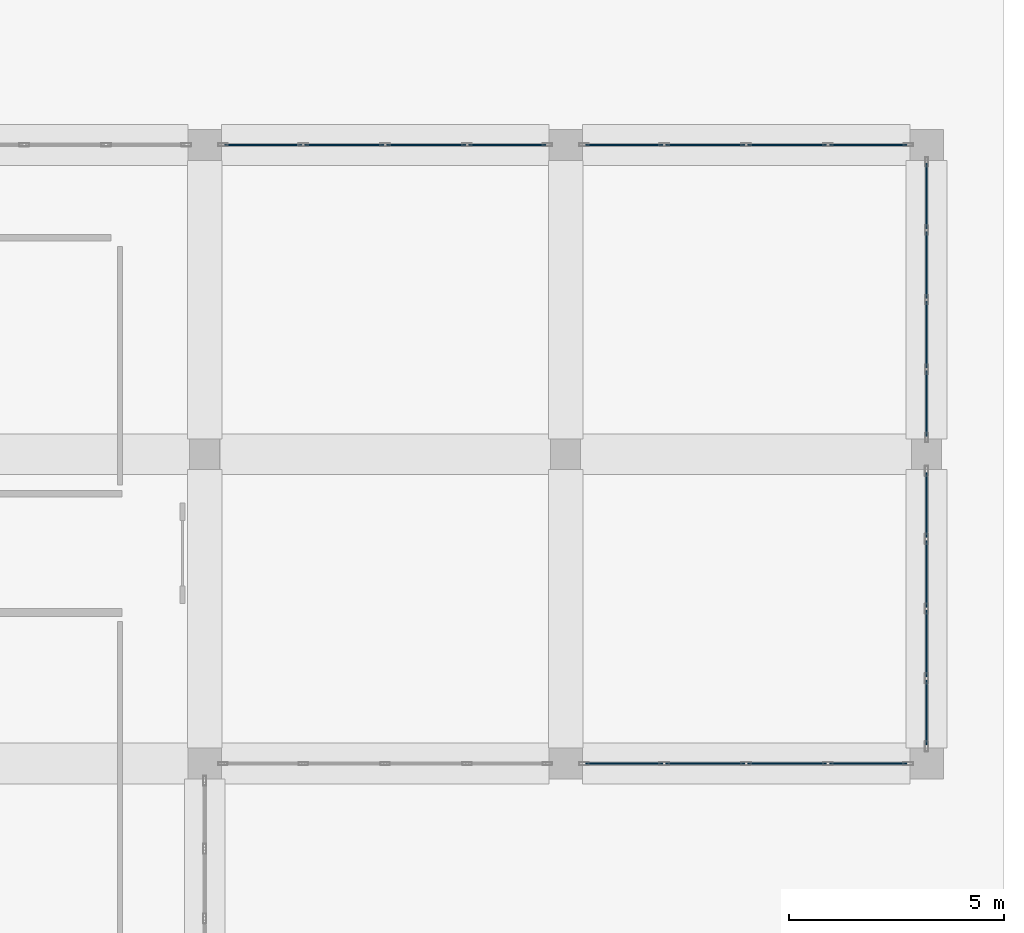
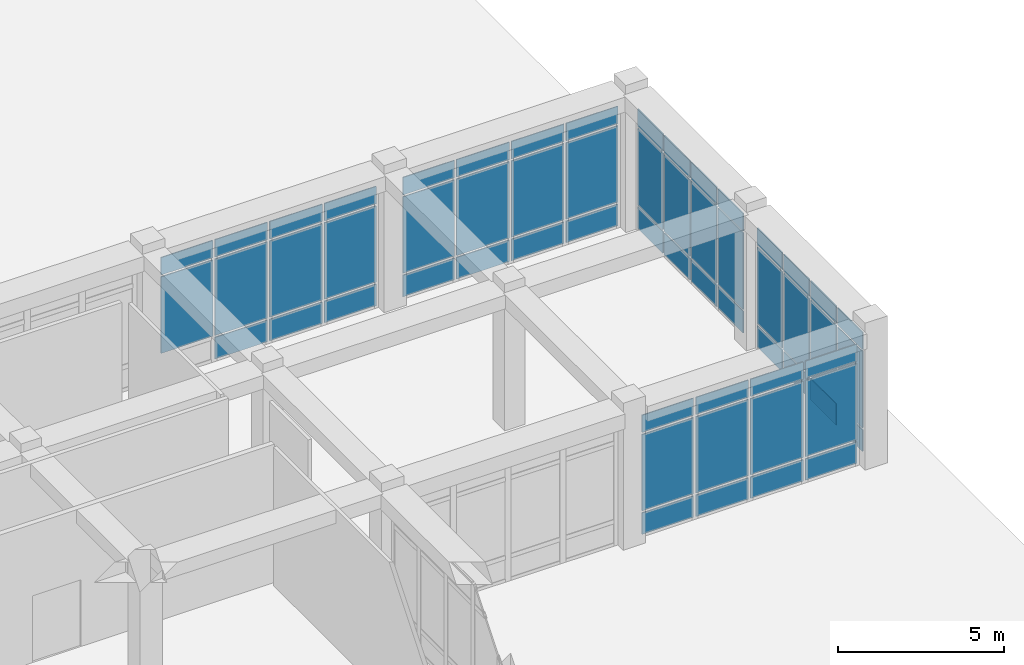
# One storey, part 58 of 84: 59 plates, 5 elements without a shape of their own.
"""IFC4 building model written with IfcOpenShell, lengths in metres."""

from ifc_helpers import new_model, si_unit, derived_unit, direction, frame, origin, origin_2d, place, context, subcontext, project, spatial, rectangle, extrude, material, layer, layer_set, type_object, element, aggregate, save


model = new_model("IFC4")

# Units and contexts
model_context = context("Model", 3, precision=1e-05, world=origin(), true_north=direction((0.0, 1.0)))
body_context = subcontext(model_context, "Body", "Model", "MODEL_VIEW")
ifc_project = project(units=[si_unit("LENGTHUNIT", "METRE"), si_unit("AREAUNIT", "SQUARE_METRE"), si_unit("VOLUMEUNIT", "CUBIC_METRE"), si_unit("PLANEANGLEUNIT", "RADIAN"), si_unit("MASSUNIT", "GRAM", prefix="KILO"), derived_unit("THERMALTRANSMITTANCEUNIT", [(si_unit("POWERUNIT", "WATT"), 1), (si_unit("LENGTHUNIT", "METRE"), -2), (si_unit("THERMODYNAMICTEMPERATUREUNIT", "KELVIN"), -1)])], contexts=[model_context])

# Site, building, storey
site_placement = place(None, origin())
site = spatial("IfcSite", under=ifc_project, at=site_placement, CompositionType="ELEMENT")
building_placement = place(site_placement, origin())
building = spatial("IfcBuilding", under=site, at=building_placement, Name="Veybourne Emporium", CompositionType="ELEMENT")
storey_placement = place(building_placement, origin())
storey = spatial("IfcBuildingStorey", under=building, at=storey_placement, Name="L00", CompositionType="ELEMENT", Elevation=0.0)

# Curtain wall, plates
ifc_material_1 = material(Name="Patinated Architectural Bronze", Category="bronze")
curtain_wall_type_1 = type_object("IfcCurtainWallType", Name="CWSystem_CWS-21", PredefinedType="NOTDEFINED", material=ifc_material_1)
curtain_wall_1_placement = place(storey_placement, origin())
curtain_wall_1 = element("IfcCurtainWall", 1, at=curtain_wall_1_placement, inside=storey, type_object=curtain_wall_type_1, Name="L00 bronze glazed curtain wall CWS-21 (074)", PredefinedType="NOTDEFINED")
ifc_material_2 = material(Name="Solar Control Laminated Glass", Category="glass")
ifc_layer = layer(ifc_material_2, 0.035888671875)
ifc_layer_set = layer_set([ifc_layer], Name="Solar Control Laminated Glass")
plate_type = type_object("IfcPlateType", Name="CWPanel_CW-P2", PredefinedType="CURTAIN_PANEL", material=ifc_layer_set)
plate_1_placement = place(storey_placement, frame((152.560546875, 21.60009765625, 0.93603515625), z_axis=(0.0, 0.0, 1.0), x_axis=(1.0, 0.0, 0.0)))
plate_1 = element("IfcPlate", 2, at=plate_1_placement, type_object=plate_type, Name="CWS-21 panel 1.2", PredefinedType="CURTAIN_PANEL", context=body_context, shape_type="SweptSolid", body=[
    extrude(rectangle(XDim=1.797119140625, YDim=0.035888671875, at=origin_2d()), origin(), (0.0, 0.0, 1.0), 2.80810546875),
])
plate_2_placement = place(storey_placement, frame((152.560546875, 21.60009765625, 3.81591796875), z_axis=(0.0, 0.0, 1.0), x_axis=(1.0, 0.0, 0.0)))
plate_2 = element("IfcPlate", 3, at=plate_2_placement, type_object=plate_type, Name="CWS-21 panel 1.3", PredefinedType="CURTAIN_PANEL", context=body_context, shape_type="SweptSolid", body=[
    extrude(rectangle(XDim=1.797119140625, YDim=0.035888671875, at=origin_2d()), origin(), (0.0, 0.0, 1.0), 0.64208984375),
])
plate_3_placement = place(storey_placement, frame((154.447509765625, 21.60009765625, 0.072021484375), z_axis=(0.0, 0.0, 1.0), x_axis=(1.0, 0.0, 0.0)))
plate_3 = element("IfcPlate", 4, at=plate_3_placement, type_object=plate_type, Name="CWS-21 panel 2.1", PredefinedType="CURTAIN_PANEL", context=body_context, shape_type="SweptSolid", body=[
    extrude(rectangle(XDim=1.8330078125, YDim=0.035888671875, at=origin_2d()), origin(), (0.0, 0.0, 1.0), 0.7919921875),
])
plate_4_placement = place(storey_placement, frame((154.447509765625, 21.60009765625, 0.93603515625), z_axis=(0.0, 0.0, 1.0), x_axis=(1.0, 0.0, 0.0)))
plate_4 = element("IfcPlate", 5, at=plate_4_placement, type_object=plate_type, Name="CWS-21 panel 2.2", PredefinedType="CURTAIN_PANEL", context=body_context, shape_type="SweptSolid", body=[
    extrude(rectangle(XDim=1.8330078125, YDim=0.035888671875, at=origin_2d()), origin(), (0.0, 0.0, 1.0), 2.80810546875),
])
plate_5_placement = place(storey_placement, frame((154.447509765625, 21.60009765625, 3.81591796875), z_axis=(0.0, 0.0, 1.0), x_axis=(1.0, 0.0, 0.0)))
plate_5 = element("IfcPlate", 6, at=plate_5_placement, type_object=plate_type, Name="CWS-21 panel 2.3", PredefinedType="CURTAIN_PANEL", context=body_context, shape_type="SweptSolid", body=[
    extrude(rectangle(XDim=1.8330078125, YDim=0.035888671875, at=origin_2d()), origin(), (0.0, 0.0, 1.0), 0.64208984375),
])
plate_6_placement = place(storey_placement, frame((156.3525390625, 21.60009765625, 0.072021484375), z_axis=(0.0, 0.0, 1.0), x_axis=(1.0, 0.0, 0.0)))
plate_6 = element("IfcPlate", 7, at=plate_6_placement, type_object=plate_type, Name="CWS-21 panel 3.1", PredefinedType="CURTAIN_PANEL", context=body_context, shape_type="SweptSolid", body=[
    extrude(rectangle(XDim=1.8330078125, YDim=0.035888671875, at=origin_2d()), origin(), (0.0, 0.0, 1.0), 0.7919921875),
])
plate_7_placement = place(storey_placement, frame((156.3525390625, 21.60009765625, 0.93603515625), z_axis=(0.0, 0.0, 1.0), x_axis=(1.0, 0.0, 0.0)))
plate_7 = element("IfcPlate", 8, at=plate_7_placement, type_object=plate_type, Name="CWS-21 panel 3.2", PredefinedType="CURTAIN_PANEL", context=body_context, shape_type="SweptSolid", body=[
    extrude(rectangle(XDim=1.8330078125, YDim=0.035888671875, at=origin_2d()), origin(), (0.0, 0.0, 1.0), 2.80810546875),
])
plate_8_placement = place(storey_placement, frame((156.3525390625, 21.60009765625, 3.81591796875), z_axis=(0.0, 0.0, 1.0), x_axis=(1.0, 0.0, 0.0)))
plate_8 = element("IfcPlate", 9, at=plate_8_placement, type_object=plate_type, Name="CWS-21 panel 3.3", PredefinedType="CURTAIN_PANEL", context=body_context, shape_type="SweptSolid", body=[
    extrude(rectangle(XDim=1.8330078125, YDim=0.035888671875, at=origin_2d()), origin(), (0.0, 0.0, 1.0), 0.64208984375),
])
plate_9_placement = place(storey_placement, frame((158.239501953125, 21.60009765625, 0.072021484375), z_axis=(0.0, 0.0, 1.0), x_axis=(1.0, 0.0, 0.0)))
plate_9 = element("IfcPlate", 10, at=plate_9_placement, type_object=plate_type, Name="CWS-21 panel 4.1", PredefinedType="CURTAIN_PANEL", context=body_context, shape_type="SweptSolid", body=[
    extrude(rectangle(XDim=1.797119140625, YDim=0.035888671875, at=origin_2d()), origin(), (0.0, 0.0, 1.0), 0.7919921875),
])
plate_10_placement = place(storey_placement, frame((158.239501953125, 21.60009765625, 0.93603515625), z_axis=(0.0, 0.0, 1.0), x_axis=(1.0, 0.0, 0.0)))
plate_10 = element("IfcPlate", 11, at=plate_10_placement, type_object=plate_type, Name="CWS-21 panel 4.2", PredefinedType="CURTAIN_PANEL", context=body_context, shape_type="SweptSolid", body=[
    extrude(rectangle(XDim=1.797119140625, YDim=0.035888671875, at=origin_2d()), origin(), (0.0, 0.0, 1.0), 2.80810546875),
])
plate_11_placement = place(storey_placement, frame((158.239501953125, 21.60009765625, 3.81591796875), z_axis=(0.0, 0.0, 1.0), x_axis=(1.0, 0.0, 0.0)))
plate_11 = element("IfcPlate", 12, at=plate_11_placement, type_object=plate_type, Name="CWS-21 panel 4.3", PredefinedType="CURTAIN_PANEL", context=body_context, shape_type="SweptSolid", body=[
    extrude(rectangle(XDim=1.797119140625, YDim=0.035888671875, at=origin_2d()), origin(), (0.0, 0.0, 1.0), 0.64208984375),
])
aggregate(curtain_wall_1, [plate_1, plate_2, plate_3, plate_4, plate_5, plate_6, plate_7, plate_8, plate_9, plate_10, plate_11])

curtain_wall_type_2 = type_object("IfcCurtainWallType", Name="CWSystem_CWS-22", PredefinedType="NOTDEFINED", material=ifc_material_1)
curtain_wall_2_placement = place(storey_placement, origin())
curtain_wall_2 = element("IfcCurtainWall", 13, at=curtain_wall_2_placement, inside=storey, type_object=curtain_wall_type_2, Name="L00 bronze glazed curtain wall CWS-22 (075)", PredefinedType="NOTDEFINED")
plate_12_placement = place(storey_placement, frame((166.638671875, 7.199951171875, 0.074951171875), z_axis=(0.0, 0.0, 1.0), x_axis=(-1.0, 0.0, 0.0)))
plate_12 = element("IfcPlate", 14, at=plate_12_placement, type_object=plate_type, Name="CWS-22 panel 1.1", PredefinedType="CURTAIN_PANEL", context=body_context, shape_type="SweptSolid", body=[
    extrude(rectangle(XDim=1.79248046875, YDim=0.035888671875, at=origin_2d()), origin(), (0.0, 0.0, 1.0), 0.78759765625),
])
plate_13_placement = place(storey_placement, frame((166.638671875, 7.199951171875, 0.9375), z_axis=(0.0, 0.0, 1.0), x_axis=(-1.0, 0.0, 0.0)))
plate_13 = element("IfcPlate", 15, at=plate_13_placement, type_object=plate_type, Name="CWS-22 panel 1.2", PredefinedType="CURTAIN_PANEL", context=body_context, shape_type="SweptSolid", body=[
    extrude(rectangle(XDim=1.79248046875, YDim=0.035888671875, at=origin_2d()), origin(), (0.0, 0.0, 1.0), 2.804931640625),
])
plate_14_placement = place(storey_placement, frame((166.638671875, 7.199951171875, 3.8173828125), z_axis=(0.0, 0.0, 1.0), x_axis=(-1.0, 0.0, 0.0)))
plate_14 = element("IfcPlate", 16, at=plate_14_placement, type_object=plate_type, Name="CWS-22 panel 1.3", PredefinedType="CURTAIN_PANEL", context=body_context, shape_type="SweptSolid", body=[
    extrude(rectangle(XDim=1.79248046875, YDim=0.035888671875, at=origin_2d()), origin(), (0.0, 0.0, 1.0), 0.637451171875),
])
plate_15_placement = place(storey_placement, frame((164.75244140625, 7.199951171875, 0.074951171875), z_axis=(0.0, 0.0, 1.0), x_axis=(-1.0, 0.0, 0.0)))
plate_15 = element("IfcPlate", 17, at=plate_15_placement, type_object=plate_type, Name="CWS-22 panel 2.1", PredefinedType="CURTAIN_PANEL", context=body_context, shape_type="SweptSolid", body=[
    extrude(rectangle(XDim=1.830078125, YDim=0.035888671875, at=origin_2d()), origin(), (0.0, 0.0, 1.0), 0.78759765625),
])
plate_16_placement = place(storey_placement, frame((164.75244140625, 7.199951171875, 0.9375), z_axis=(0.0, 0.0, 1.0), x_axis=(-1.0, 0.0, 0.0)))
plate_16 = element("IfcPlate", 18, at=plate_16_placement, type_object=plate_type, Name="CWS-22 panel 2.2", PredefinedType="CURTAIN_PANEL", context=body_context, shape_type="SweptSolid", body=[
    extrude(rectangle(XDim=1.830078125, YDim=0.035888671875, at=origin_2d()), origin(), (0.0, 0.0, 1.0), 2.804931640625),
])
plate_17_placement = place(storey_placement, frame((164.75244140625, 7.199951171875, 3.8173828125), z_axis=(0.0, 0.0, 1.0), x_axis=(-1.0, 0.0, 0.0)))
plate_17 = element("IfcPlate", 19, at=plate_17_placement, type_object=plate_type, Name="CWS-22 panel 2.3", PredefinedType="CURTAIN_PANEL", context=body_context, shape_type="SweptSolid", body=[
    extrude(rectangle(XDim=1.830078125, YDim=0.035888671875, at=origin_2d()), origin(), (0.0, 0.0, 1.0), 0.637451171875),
])
plate_18_placement = place(storey_placement, frame((162.847412109375, 7.199951171875, 0.074951171875), z_axis=(0.0, 0.0, 1.0), x_axis=(-1.0, 0.0, 0.0)))
plate_18 = element("IfcPlate", 20, at=plate_18_placement, type_object=plate_type, Name="CWS-22 panel 3.1", PredefinedType="CURTAIN_PANEL", context=body_context, shape_type="SweptSolid", body=[
    extrude(rectangle(XDim=1.830078125, YDim=0.035888671875, at=origin_2d()), origin(), (0.0, 0.0, 1.0), 0.78759765625),
])
plate_19_placement = place(storey_placement, frame((162.847412109375, 7.199951171875, 0.9375), z_axis=(0.0, 0.0, 1.0), x_axis=(-1.0, 0.0, 0.0)))
plate_19 = element("IfcPlate", 21, at=plate_19_placement, type_object=plate_type, Name="CWS-22 panel 3.2", PredefinedType="CURTAIN_PANEL", context=body_context, shape_type="SweptSolid", body=[
    extrude(rectangle(XDim=1.830078125, YDim=0.035888671875, at=origin_2d()), origin(), (0.0, 0.0, 1.0), 2.804931640625),
])
plate_20_placement = place(storey_placement, frame((162.847412109375, 7.199951171875, 3.8173828125), z_axis=(0.0, 0.0, 1.0), x_axis=(-1.0, 0.0, 0.0)))
plate_20 = element("IfcPlate", 22, at=plate_20_placement, type_object=plate_type, Name="CWS-22 panel 3.3", PredefinedType="CURTAIN_PANEL", context=body_context, shape_type="SweptSolid", body=[
    extrude(rectangle(XDim=1.830078125, YDim=0.035888671875, at=origin_2d()), origin(), (0.0, 0.0, 1.0), 0.637451171875),
])
plate_21_placement = place(storey_placement, frame((160.961181640625, 7.199951171875, 0.074951171875), z_axis=(0.0, 0.0, 1.0), x_axis=(-1.0, 0.0, 0.0)))
plate_21 = element("IfcPlate", 23, at=plate_21_placement, type_object=plate_type, Name="CWS-22 panel 4.1", PredefinedType="CURTAIN_PANEL", context=body_context, shape_type="SweptSolid", body=[
    extrude(rectangle(XDim=1.79248046875, YDim=0.035888671875, at=origin_2d()), origin(), (0.0, 0.0, 1.0), 0.78759765625),
])
plate_22_placement = place(storey_placement, frame((160.961181640625, 7.199951171875, 0.9375), z_axis=(0.0, 0.0, 1.0), x_axis=(-1.0, 0.0, 0.0)))
plate_22 = element("IfcPlate", 24, at=plate_22_placement, type_object=plate_type, Name="CWS-22 panel 4.2", PredefinedType="CURTAIN_PANEL", context=body_context, shape_type="SweptSolid", body=[
    extrude(rectangle(XDim=1.79248046875, YDim=0.035888671875, at=origin_2d()), origin(), (0.0, 0.0, 1.0), 2.804931640625),
])
plate_23_placement = place(storey_placement, frame((160.961181640625, 7.199951171875, 3.8173828125), z_axis=(0.0, 0.0, 1.0), x_axis=(-1.0, 0.0, 0.0)))
plate_23 = element("IfcPlate", 25, at=plate_23_placement, type_object=plate_type, Name="CWS-22 panel 4.3", PredefinedType="CURTAIN_PANEL", context=body_context, shape_type="SweptSolid", body=[
    extrude(rectangle(XDim=1.79248046875, YDim=0.035888671875, at=origin_2d()), origin(), (0.0, 0.0, 1.0), 0.637451171875),
])
aggregate(curtain_wall_2, [plate_12, plate_13, plate_14, plate_15, plate_16, plate_17, plate_18, plate_19, plate_20, plate_21, plate_22, plate_23])

curtain_wall_type_3 = type_object("IfcCurtainWallType", Name="CWSystem_CWS-23", PredefinedType="NOTDEFINED", material=ifc_material_1)
curtain_wall_3_placement = place(storey_placement, origin())
curtain_wall_3 = element("IfcCurtainWall", 26, at=curtain_wall_3_placement, inside=storey, type_object=curtain_wall_type_3, Name="L00 bronze glazed curtain wall CWS-23 (076)", PredefinedType="NOTDEFINED")
plate_24_placement = place(storey_placement, frame((168.0, 13.21923828125, 0.078125), z_axis=(0.0, 0.0, 1.0), x_axis=(0.0, -1.0, 0.0)))
plate_24 = element("IfcPlate", 27, at=plate_24_placement, type_object=plate_type, Name="CWS-23 panel 1.1", PredefinedType="CURTAIN_PANEL", context=body_context, shape_type="SweptSolid", body=[
    extrude(rectangle(XDim=1.505615234375, YDim=0.035888671875, at=origin_2d()), origin(), (0.0, 0.0, 1.0), 0.782958984375),
])
plate_25_placement = place(storey_placement, frame((168.0, 13.21923828125, 0.93896484375), z_axis=(0.0, 0.0, 1.0), x_axis=(0.0, -1.0, 0.0)))
plate_25 = element("IfcPlate", 28, at=plate_25_placement, type_object=plate_type, Name="CWS-23 panel 1.2", PredefinedType="CURTAIN_PANEL", context=body_context, shape_type="SweptSolid", body=[
    extrude(rectangle(XDim=1.505615234375, YDim=0.035888671875, at=origin_2d()), origin(), (0.0, 0.0, 1.0), 2.802001953125),
])
plate_26_placement = place(storey_placement, frame((168.0, 13.21923828125, 3.81884765625), z_axis=(0.0, 0.0, 1.0), x_axis=(0.0, -1.0, 0.0)))
plate_26 = element("IfcPlate", 29, at=plate_26_placement, type_object=plate_type, Name="CWS-23 panel 1.3", PredefinedType="CURTAIN_PANEL", context=body_context, shape_type="SweptSolid", body=[
    extrude(rectangle(XDim=1.505615234375, YDim=0.035888671875, at=origin_2d()), origin(), (0.0, 0.0, 1.0), 0.633056640625),
])
plate_27_placement = place(storey_placement, frame((168.0, 11.6162109375, 0.078125), z_axis=(0.0, 0.0, 1.0), x_axis=(0.0, -1.0, 0.0)))
plate_27 = element("IfcPlate", 30, at=plate_27_placement, type_object=plate_type, Name="CWS-23 panel 2.1", PredefinedType="CURTAIN_PANEL", context=body_context, shape_type="SweptSolid", body=[
    extrude(rectangle(XDim=1.54443359375, YDim=0.035888671875, at=origin_2d()), origin(), (0.0, 0.0, 1.0), 0.782958984375),
])
plate_28_placement = place(storey_placement, frame((168.0, 11.6162109375, 0.93896484375), z_axis=(0.0, 0.0, 1.0), x_axis=(0.0, -1.0, 0.0)))
plate_28 = element("IfcPlate", 31, at=plate_28_placement, type_object=plate_type, Name="CWS-23 panel 2.2", PredefinedType="CURTAIN_PANEL", context=body_context, shape_type="SweptSolid", body=[
    extrude(rectangle(XDim=1.54443359375, YDim=0.035888671875, at=origin_2d()), origin(), (0.0, 0.0, 1.0), 2.802001953125),
])
plate_29_placement = place(storey_placement, frame((168.0, 11.6162109375, 3.81884765625), z_axis=(0.0, 0.0, 1.0), x_axis=(0.0, -1.0, 0.0)))
plate_29 = element("IfcPlate", 32, at=plate_29_placement, type_object=plate_type, Name="CWS-23 panel 2.3", PredefinedType="CURTAIN_PANEL", context=body_context, shape_type="SweptSolid", body=[
    extrude(rectangle(XDim=1.54443359375, YDim=0.035888671875, at=origin_2d()), origin(), (0.0, 0.0, 1.0), 0.633056640625),
])
plate_30_placement = place(storey_placement, frame((168.0, 9.99365234375, 0.078125), z_axis=(0.0, 0.0, 1.0), x_axis=(0.0, -1.0, 0.0)))
plate_30 = element("IfcPlate", 33, at=plate_30_placement, type_object=plate_type, Name="CWS-23 panel 3.1", PredefinedType="CURTAIN_PANEL", context=body_context, shape_type="SweptSolid", body=[
    extrude(rectangle(XDim=1.54443359375, YDim=0.035888671875, at=origin_2d()), origin(), (0.0, 0.0, 1.0), 0.782958984375),
])
plate_31_placement = place(storey_placement, frame((168.0, 9.99365234375, 0.93896484375), z_axis=(0.0, 0.0, 1.0), x_axis=(0.0, -1.0, 0.0)))
plate_31 = element("IfcPlate", 34, at=plate_31_placement, type_object=plate_type, Name="CWS-23 panel 3.2", PredefinedType="CURTAIN_PANEL", context=body_context, shape_type="SweptSolid", body=[
    extrude(rectangle(XDim=1.54443359375, YDim=0.035888671875, at=origin_2d()), origin(), (0.0, 0.0, 1.0), 2.802001953125),
])
plate_32_placement = place(storey_placement, frame((168.0, 9.99365234375, 3.81884765625), z_axis=(0.0, 0.0, 1.0), x_axis=(0.0, -1.0, 0.0)))
plate_32 = element("IfcPlate", 35, at=plate_32_placement, type_object=plate_type, Name="CWS-23 panel 3.3", PredefinedType="CURTAIN_PANEL", context=body_context, shape_type="SweptSolid", body=[
    extrude(rectangle(XDim=1.54443359375, YDim=0.035888671875, at=origin_2d()), origin(), (0.0, 0.0, 1.0), 0.633056640625),
])
plate_33_placement = place(storey_placement, frame((168.0, 8.390869140625, 0.078125), z_axis=(0.0, 0.0, 1.0), x_axis=(0.0, -1.0, 0.0)))
plate_33 = element("IfcPlate", 36, at=plate_33_placement, type_object=plate_type, Name="CWS-23 panel 4.1", PredefinedType="CURTAIN_PANEL", context=body_context, shape_type="SweptSolid", body=[
    extrude(rectangle(XDim=1.505615234375, YDim=0.035888671875, at=origin_2d()), origin(), (0.0, 0.0, 1.0), 0.782958984375),
])
plate_34_placement = place(storey_placement, frame((168.0, 8.390869140625, 0.93896484375), z_axis=(0.0, 0.0, 1.0), x_axis=(0.0, -1.0, 0.0)))
plate_34 = element("IfcPlate", 37, at=plate_34_placement, type_object=plate_type, Name="CWS-23 panel 4.2", PredefinedType="CURTAIN_PANEL", context=body_context, shape_type="SweptSolid", body=[
    extrude(rectangle(XDim=1.505615234375, YDim=0.035888671875, at=origin_2d()), origin(), (0.0, 0.0, 1.0), 2.802001953125),
])
plate_35_placement = place(storey_placement, frame((168.0, 8.390869140625, 3.81884765625), z_axis=(0.0, 0.0, 1.0), x_axis=(0.0, -1.0, 0.0)))
plate_35 = element("IfcPlate", 38, at=plate_35_placement, type_object=plate_type, Name="CWS-23 panel 4.3", PredefinedType="CURTAIN_PANEL", context=body_context, shape_type="SweptSolid", body=[
    extrude(rectangle(XDim=1.505615234375, YDim=0.035888671875, at=origin_2d()), origin(), (0.0, 0.0, 1.0), 0.633056640625),
])
aggregate(curtain_wall_3, [plate_24, plate_25, plate_26, plate_27, plate_28, plate_29, plate_30, plate_31, plate_32, plate_33, plate_34, plate_35])

curtain_wall_type_4 = type_object("IfcCurtainWallType", Name="CWSystem_CWS-24", PredefinedType="NOTDEFINED", material=ifc_material_1)
curtain_wall_4_placement = place(storey_placement, origin())
curtain_wall_4 = element("IfcCurtainWall", 39, at=curtain_wall_4_placement, inside=storey, type_object=curtain_wall_type_4, Name="L00 bronze glazed curtain wall CWS-24 (077)", PredefinedType="NOTDEFINED")
plate_36_placement = place(storey_placement, frame((168.0, 20.4111328125, 0.070068359375), z_axis=(0.0, 0.0, 1.0), x_axis=(0.0, -1.0, 0.0)))
plate_36 = element("IfcPlate", 40, at=plate_36_placement, type_object=plate_type, Name="CWS-24 panel 1.1", PredefinedType="CURTAIN_PANEL", context=body_context, shape_type="SweptSolid", body=[
    extrude(rectangle(XDim=1.517578125, YDim=0.035888671875, at=origin_2d()), origin(), (0.0, 0.0, 1.0), 0.794921875),
])
plate_37_placement = place(storey_placement, frame((168.0, 20.4111328125, 0.93505859375), z_axis=(0.0, 0.0, 1.0), x_axis=(0.0, -1.0, 0.0)))
plate_37 = element("IfcPlate", 41, at=plate_37_placement, type_object=plate_type, Name="CWS-24 panel 1.2", PredefinedType="CURTAIN_PANEL", context=body_context, shape_type="SweptSolid", body=[
    extrude(rectangle(XDim=1.517578125, YDim=0.035888671875, at=origin_2d()), origin(), (0.0, 0.0, 1.0), 2.81005859375),
])
plate_38_placement = place(storey_placement, frame((168.0, 20.4111328125, 3.81494140625), z_axis=(0.0, 0.0, 1.0), x_axis=(0.0, -1.0, 0.0)))
plate_38 = element("IfcPlate", 42, at=plate_38_placement, type_object=plate_type, Name="CWS-24 panel 1.3", PredefinedType="CURTAIN_PANEL", context=body_context, shape_type="SweptSolid", body=[
    extrude(rectangle(XDim=1.517578125, YDim=0.035888671875, at=origin_2d()), origin(), (0.0, 0.0, 1.0), 0.64501953125),
])
plate_39_placement = place(storey_placement, frame((168.0, 18.80615234375, 0.070068359375), z_axis=(0.0, 0.0, 1.0), x_axis=(0.0, -1.0, 0.0)))
plate_39 = element("IfcPlate", 43, at=plate_39_placement, type_object=plate_type, Name="CWS-24 panel 2.1", PredefinedType="CURTAIN_PANEL", context=body_context, shape_type="SweptSolid", body=[
    extrude(rectangle(XDim=1.552490234375, YDim=0.035888671875, at=origin_2d()), origin(), (0.0, 0.0, 1.0), 0.794921875),
])
plate_40_placement = place(storey_placement, frame((168.0, 18.80615234375, 0.93505859375), z_axis=(0.0, 0.0, 1.0), x_axis=(0.0, -1.0, 0.0)))
plate_40 = element("IfcPlate", 44, at=plate_40_placement, type_object=plate_type, Name="CWS-24 panel 2.2", PredefinedType="CURTAIN_PANEL", context=body_context, shape_type="SweptSolid", body=[
    extrude(rectangle(XDim=1.552490234375, YDim=0.035888671875, at=origin_2d()), origin(), (0.0, 0.0, 1.0), 2.81005859375),
])
plate_41_placement = place(storey_placement, frame((168.0, 18.80615234375, 3.81494140625), z_axis=(0.0, 0.0, 1.0), x_axis=(0.0, -1.0, 0.0)))
plate_41 = element("IfcPlate", 45, at=plate_41_placement, type_object=plate_type, Name="CWS-24 panel 2.3", PredefinedType="CURTAIN_PANEL", context=body_context, shape_type="SweptSolid", body=[
    extrude(rectangle(XDim=1.552490234375, YDim=0.035888671875, at=origin_2d()), origin(), (0.0, 0.0, 1.0), 0.64501953125),
])
plate_42_placement = place(storey_placement, frame((168.0, 17.183837890625, 0.070068359375), z_axis=(0.0, 0.0, 1.0), x_axis=(0.0, -1.0, 0.0)))
plate_42 = element("IfcPlate", 46, at=plate_42_placement, type_object=plate_type, Name="CWS-24 panel 3.1", PredefinedType="CURTAIN_PANEL", context=body_context, shape_type="SweptSolid", body=[
    extrude(rectangle(XDim=1.552490234375, YDim=0.035888671875, at=origin_2d()), origin(), (0.0, 0.0, 1.0), 0.794921875),
])
plate_43_placement = place(storey_placement, frame((168.0, 17.183837890625, 0.93505859375), z_axis=(0.0, 0.0, 1.0), x_axis=(0.0, -1.0, 0.0)))
plate_43 = element("IfcPlate", 47, at=plate_43_placement, type_object=plate_type, Name="CWS-24 panel 3.2", PredefinedType="CURTAIN_PANEL", context=body_context, shape_type="SweptSolid", body=[
    extrude(rectangle(XDim=1.552490234375, YDim=0.035888671875, at=origin_2d()), origin(), (0.0, 0.0, 1.0), 2.81005859375),
])
plate_44_placement = place(storey_placement, frame((168.0, 17.183837890625, 3.81494140625), z_axis=(0.0, 0.0, 1.0), x_axis=(0.0, -1.0, 0.0)))
plate_44 = element("IfcPlate", 48, at=plate_44_placement, type_object=plate_type, Name="CWS-24 panel 3.3", PredefinedType="CURTAIN_PANEL", context=body_context, shape_type="SweptSolid", body=[
    extrude(rectangle(XDim=1.552490234375, YDim=0.035888671875, at=origin_2d()), origin(), (0.0, 0.0, 1.0), 0.64501953125),
])
plate_45_placement = place(storey_placement, frame((168.0, 15.578857421875, 0.070068359375), z_axis=(0.0, 0.0, 1.0), x_axis=(0.0, -1.0, 0.0)))
plate_45 = element("IfcPlate", 49, at=plate_45_placement, type_object=plate_type, Name="CWS-24 panel 4.1", PredefinedType="CURTAIN_PANEL", context=body_context, shape_type="SweptSolid", body=[
    extrude(rectangle(XDim=1.517578125, YDim=0.035888671875, at=origin_2d()), origin(), (0.0, 0.0, 1.0), 0.794921875),
])
plate_46_placement = place(storey_placement, frame((168.0, 15.578857421875, 0.93505859375), z_axis=(0.0, 0.0, 1.0), x_axis=(0.0, -1.0, 0.0)))
plate_46 = element("IfcPlate", 50, at=plate_46_placement, type_object=plate_type, Name="CWS-24 panel 4.2", PredefinedType="CURTAIN_PANEL", context=body_context, shape_type="SweptSolid", body=[
    extrude(rectangle(XDim=1.517578125, YDim=0.035888671875, at=origin_2d()), origin(), (0.0, 0.0, 1.0), 2.81005859375),
])
plate_47_placement = place(storey_placement, frame((168.0, 15.578857421875, 3.81494140625), z_axis=(0.0, 0.0, 1.0), x_axis=(0.0, -1.0, 0.0)))
plate_47 = element("IfcPlate", 51, at=plate_47_placement, type_object=plate_type, Name="CWS-24 panel 4.3", PredefinedType="CURTAIN_PANEL", context=body_context, shape_type="SweptSolid", body=[
    extrude(rectangle(XDim=1.517578125, YDim=0.035888671875, at=origin_2d()), origin(), (0.0, 0.0, 1.0), 0.64501953125),
])
aggregate(curtain_wall_4, [plate_36, plate_37, plate_38, plate_39, plate_40, plate_41, plate_42, plate_43, plate_44, plate_45, plate_46, plate_47])

curtain_wall_type_5 = type_object("IfcCurtainWallType", Name="CWSystem_CWS-25", PredefinedType="NOTDEFINED", material=ifc_material_1)
curtain_wall_5_placement = place(storey_placement, origin())
curtain_wall_5 = element("IfcCurtainWall", 52, at=curtain_wall_5_placement, inside=storey, type_object=curtain_wall_type_5, Name="L00 bronze glazed curtain wall CWS-25 (078)", PredefinedType="NOTDEFINED")
plate_48_placement = place(storey_placement, frame((160.96044921875, 21.60009765625, 0.072021484375), z_axis=(0.0, 0.0, 1.0), x_axis=(1.0, 0.0, 0.0)))
plate_48 = element("IfcPlate", 53, at=plate_48_placement, type_object=plate_type, Name="CWS-25 panel 1.1", PredefinedType="CURTAIN_PANEL", context=body_context, shape_type="SweptSolid", body=[
    extrude(rectangle(XDim=1.797119140625, YDim=0.035888671875, at=origin_2d()), origin(), (0.0, 0.0, 1.0), 0.7919921875),
])
plate_49_placement = place(storey_placement, frame((160.96044921875, 21.60009765625, 0.93603515625), z_axis=(0.0, 0.0, 1.0), x_axis=(1.0, 0.0, 0.0)))
plate_49 = element("IfcPlate", 54, at=plate_49_placement, type_object=plate_type, Name="CWS-25 panel 1.2", PredefinedType="CURTAIN_PANEL", context=body_context, shape_type="SweptSolid", body=[
    extrude(rectangle(XDim=1.797119140625, YDim=0.035888671875, at=origin_2d()), origin(), (0.0, 0.0, 1.0), 2.80810546875),
])
plate_50_placement = place(storey_placement, frame((160.96044921875, 21.60009765625, 3.81591796875), z_axis=(0.0, 0.0, 1.0), x_axis=(1.0, 0.0, 0.0)))
plate_50 = element("IfcPlate", 55, at=plate_50_placement, type_object=plate_type, Name="CWS-25 panel 1.3", PredefinedType="CURTAIN_PANEL", context=body_context, shape_type="SweptSolid", body=[
    extrude(rectangle(XDim=1.797119140625, YDim=0.035888671875, at=origin_2d()), origin(), (0.0, 0.0, 1.0), 0.64208984375),
])
plate_51_placement = place(storey_placement, frame((162.847412109375, 21.60009765625, 0.072021484375), z_axis=(0.0, 0.0, 1.0), x_axis=(1.0, 0.0, 0.0)))
plate_51 = element("IfcPlate", 56, at=plate_51_placement, type_object=plate_type, Name="CWS-25 panel 2.1", PredefinedType="CURTAIN_PANEL", context=body_context, shape_type="SweptSolid", body=[
    extrude(rectangle(XDim=1.8330078125, YDim=0.035888671875, at=origin_2d()), origin(), (0.0, 0.0, 1.0), 0.7919921875),
])
plate_52_placement = place(storey_placement, frame((162.847412109375, 21.60009765625, 0.93603515625), z_axis=(0.0, 0.0, 1.0), x_axis=(1.0, 0.0, 0.0)))
plate_52 = element("IfcPlate", 57, at=plate_52_placement, type_object=plate_type, Name="CWS-25 panel 2.2", PredefinedType="CURTAIN_PANEL", context=body_context, shape_type="SweptSolid", body=[
    extrude(rectangle(XDim=1.8330078125, YDim=0.035888671875, at=origin_2d()), origin(), (0.0, 0.0, 1.0), 2.80810546875),
])
plate_53_placement = place(storey_placement, frame((162.847412109375, 21.60009765625, 3.81591796875), z_axis=(0.0, 0.0, 1.0), x_axis=(1.0, 0.0, 0.0)))
plate_53 = element("IfcPlate", 58, at=plate_53_placement, type_object=plate_type, Name="CWS-25 panel 2.3", PredefinedType="CURTAIN_PANEL", context=body_context, shape_type="SweptSolid", body=[
    extrude(rectangle(XDim=1.8330078125, YDim=0.035888671875, at=origin_2d()), origin(), (0.0, 0.0, 1.0), 0.64208984375),
])
plate_54_placement = place(storey_placement, frame((164.75244140625, 21.60009765625, 0.072021484375), z_axis=(0.0, 0.0, 1.0), x_axis=(1.0, 0.0, 0.0)))
plate_54 = element("IfcPlate", 59, at=plate_54_placement, type_object=plate_type, Name="CWS-25 panel 3.1", PredefinedType="CURTAIN_PANEL", context=body_context, shape_type="SweptSolid", body=[
    extrude(rectangle(XDim=1.8330078125, YDim=0.035888671875, at=origin_2d()), origin(), (0.0, 0.0, 1.0), 0.7919921875),
])
plate_55_placement = place(storey_placement, frame((164.75244140625, 21.60009765625, 0.93603515625), z_axis=(0.0, 0.0, 1.0), x_axis=(1.0, 0.0, 0.0)))
plate_55 = element("IfcPlate", 60, at=plate_55_placement, type_object=plate_type, Name="CWS-25 panel 3.2", PredefinedType="CURTAIN_PANEL", context=body_context, shape_type="SweptSolid", body=[
    extrude(rectangle(XDim=1.8330078125, YDim=0.035888671875, at=origin_2d()), origin(), (0.0, 0.0, 1.0), 2.80810546875),
])
plate_56_placement = place(storey_placement, frame((164.75244140625, 21.60009765625, 3.81591796875), z_axis=(0.0, 0.0, 1.0), x_axis=(1.0, 0.0, 0.0)))
plate_56 = element("IfcPlate", 61, at=plate_56_placement, type_object=plate_type, Name="CWS-25 panel 3.3", PredefinedType="CURTAIN_PANEL", context=body_context, shape_type="SweptSolid", body=[
    extrude(rectangle(XDim=1.8330078125, YDim=0.035888671875, at=origin_2d()), origin(), (0.0, 0.0, 1.0), 0.64208984375),
])
plate_57_placement = place(storey_placement, frame((166.639404296875, 21.60009765625, 0.072021484375), z_axis=(0.0, 0.0, 1.0), x_axis=(1.0, 0.0, 0.0)))
plate_57 = element("IfcPlate", 62, at=plate_57_placement, type_object=plate_type, Name="CWS-25 panel 4.1", PredefinedType="CURTAIN_PANEL", context=body_context, shape_type="SweptSolid", body=[
    extrude(rectangle(XDim=1.797119140625, YDim=0.035888671875, at=origin_2d()), origin(), (0.0, 0.0, 1.0), 0.7919921875),
])
plate_58_placement = place(storey_placement, frame((166.639404296875, 21.60009765625, 0.93603515625), z_axis=(0.0, 0.0, 1.0), x_axis=(1.0, 0.0, 0.0)))
plate_58 = element("IfcPlate", 63, at=plate_58_placement, type_object=plate_type, Name="CWS-25 panel 4.2", PredefinedType="CURTAIN_PANEL", context=body_context, shape_type="SweptSolid", body=[
    extrude(rectangle(XDim=1.797119140625, YDim=0.035888671875, at=origin_2d()), origin(), (0.0, 0.0, 1.0), 2.80810546875),
])
plate_59_placement = place(storey_placement, frame((166.639404296875, 21.60009765625, 3.81591796875), z_axis=(0.0, 0.0, 1.0), x_axis=(1.0, 0.0, 0.0)))
plate_59 = element("IfcPlate", 64, at=plate_59_placement, type_object=plate_type, Name="CWS-25 panel 4.3", PredefinedType="CURTAIN_PANEL", context=body_context, shape_type="SweptSolid", body=[
    extrude(rectangle(XDim=1.797119140625, YDim=0.035888671875, at=origin_2d()), origin(), (0.0, 0.0, 1.0), 0.64208984375),
])
aggregate(curtain_wall_5, [plate_48, plate_49, plate_50, plate_51, plate_52, plate_53, plate_54, plate_55, plate_56, plate_57, plate_58, plate_59])

save(model, "model.ifc")
